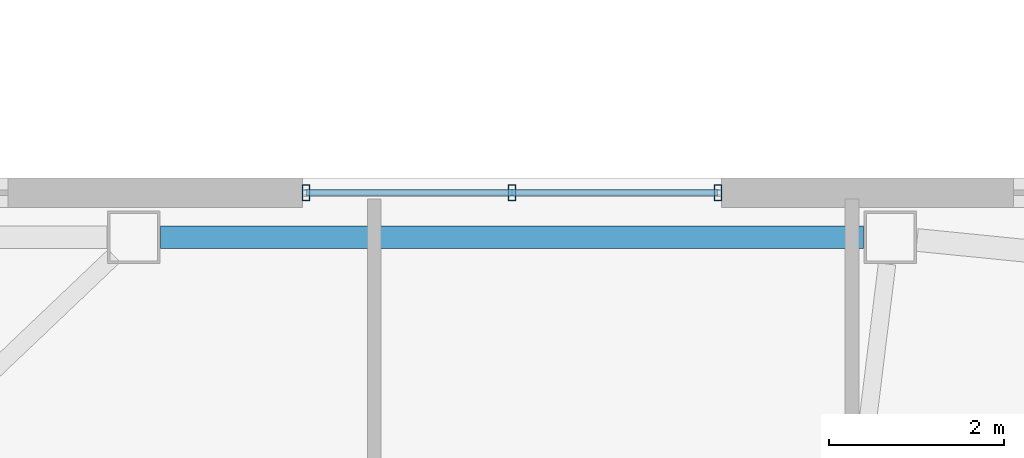
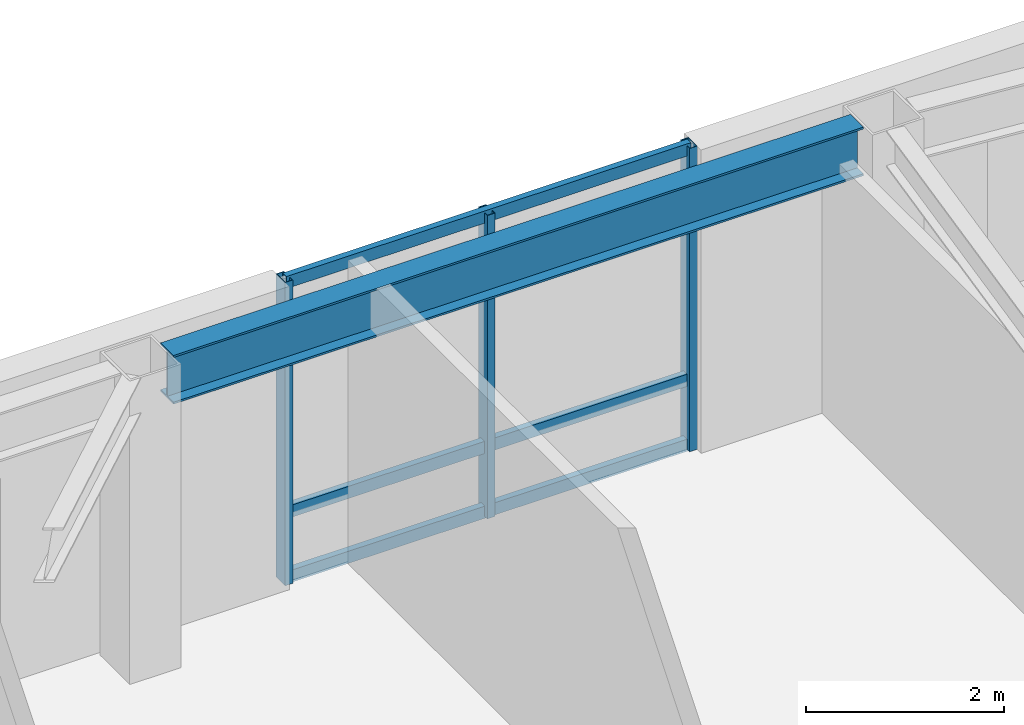
# One storey, part 6 of 18: 6 members, 1 beam, 1 element without a shape of its own.
"""IFC4 building model written with IfcOpenShell, lengths in metres."""

from ifc_helpers import new_model, si_unit, direction, frame, origin, origin_2d, place, context, subcontext, project, spatial, hollow_rectangle, i_section, extrude, material, layer, layer_set, material_profile, profile_set, type_object, element, aggregate, save


model = new_model("IFC4")

# Units and contexts
model_context = context("Model", 3, precision=1e-05, world=origin(), true_north=direction((0.0, 1.0)))
body_context = subcontext(model_context, "Body", "Model", "MODEL_VIEW")
ifc_project = project(units=[si_unit("LENGTHUNIT", "METRE"), si_unit("AREAUNIT", "SQUARE_METRE"), si_unit("VOLUMEUNIT", "CUBIC_METRE"), si_unit("PLANEANGLEUNIT", "RADIAN"), si_unit("MASSUNIT", "GRAM", prefix="KILO")], contexts=[model_context])

# Site, building, storey
site_placement = place(None, origin())
site = spatial("IfcSite", under=ifc_project, at=site_placement, CompositionType="ELEMENT")
building_placement = place(site_placement, origin())
building = spatial("IfcBuilding", under=site, at=building_placement, Name="Tavrogorsk Clinical Tower", CompositionType="ELEMENT")
storey_placement = place(building_placement, frame((0.0, 0.0, 168.199951171875)))
storey = spatial("IfcBuildingStorey", under=building, at=storey_placement, Name="L38", CompositionType="ELEMENT", Elevation=168.199951171875)

# Curtain wall, members
ifc_material_1 = material(Name="Anodised aluminium and triple IGU glazing", Category="aluminium")
ifc_layer = layer(ifc_material_1, 0.179931640625)
ifc_layer_set = layer_set([ifc_layer], Name="Anodised aluminium and triple IGU glazing")
curtain_wall_type = type_object("IfcCurtainWallType", Name="CW2_NorthSlot", PredefinedType="NOTDEFINED", material=ifc_layer_set)
curtain_wall_placement = place(storey_placement, origin())
curtain_wall = element("IfcCurtainWall", 1, at=curtain_wall_placement, inside=storey, type_object=curtain_wall_type, Name="L38 Curtain Wall CW-L38-N-SLOT-1", PredefinedType="NOTDEFINED")
ifc_material_2 = material(Name="Anodised aluminium alloy AW-6060", Category="aluminium")
ifc_material_profile_1 = material_profile(ifc_material_2, hollow_rectangle(XDim=0.090087890625, YDim=0.179931640625, WallThickness=0.00634765625, at=origin_2d()), Name="RHS-180x90x6.3")
ifc_profile_set_1 = profile_set([ifc_material_profile_1], Name="Anodised aluminium alloy AW-6060")
member_type_1 = type_object("IfcMemberType", Name="CwMullion_180x90", PredefinedType="MULLION", material=ifc_profile_set_1)
member_1_placement = place(storey_placement, frame((-3.90380859375, 26.929931640625, 0.0), z_axis=(0.0, 0.0, 1.0), x_axis=(-1.0, 0.0, 0.0)))
member_1 = element("IfcMember", 2, at=member_1_placement, type_object=member_type_1, Name="CW-L38-N-SLOT-1 Mullion 1", PredefinedType="MULLION", context=body_context, shape_type="SweptSolid", body=[
    extrude(hollow_rectangle(XDim=0.090087890625, YDim=0.179931640625, WallThickness=0.00634765625, at=origin_2d()), origin(), (0.0, 0.0, 1.0), 3.739990234375),
])
member_2_placement = place(storey_placement, frame((-6.262939453125, 26.929931640625, 0.0), z_axis=(0.0, 0.0, 1.0), x_axis=(-1.0, 0.0, 0.0)))
member_2 = element("IfcMember", 3, at=member_2_placement, type_object=member_type_1, Name="CW-L38-N-SLOT-1 Mullion 2", PredefinedType="MULLION", context=body_context, shape_type="SweptSolid", body=[
    extrude(hollow_rectangle(XDim=0.090087890625, YDim=0.179931640625, WallThickness=0.00634765625, at=origin_2d()), origin(), (0.0, 0.0, 1.0), 3.739990234375),
])
member_3_placement = place(storey_placement, frame((-8.621826171875, 26.929931640625, 0.0), z_axis=(0.0, 0.0, 1.0), x_axis=(-1.0, 0.0, 0.0)))
member_3 = element("IfcMember", 4, at=member_3_placement, type_object=member_type_1, Name="CW-L38-N-SLOT-1 Mullion 3", PredefinedType="MULLION", context=body_context, shape_type="SweptSolid", body=[
    extrude(hollow_rectangle(XDim=0.090087890625, YDim=0.179931640625, WallThickness=0.00634765625, at=origin_2d()), origin(), (0.0, 0.0, 1.0), 3.739990234375),
])
ifc_material_3 = material(Name="Anodised aluminium alloy AW-6060", Category="aluminium")
ifc_material_profile_2 = material_profile(ifc_material_3, hollow_rectangle(XDim=0.074951171875, YDim=0.14990234375, WallThickness=0.0048828125, at=origin_2d()), Name="RHS-150x75x5")
ifc_profile_set_2 = profile_set([ifc_material_profile_2], Name="Anodised aluminium alloy AW-6060")
member_type_2 = type_object("IfcMemberType", Name="CwTransom_150x75", PredefinedType="USERDEFINED", material=ifc_profile_set_2)
member_4_placement = place(storey_placement, frame((-3.90380859375, 26.929931640625, 0.050048828125), z_axis=(-1.0, 0.0, 0.0), x_axis=(0.0, -1.0, 0.0)))
member_4 = element("IfcMember", 5, at=member_4_placement, type_object=member_type_2, Name="CW-L38-N-SLOT-1 Transom 1", ObjectType="TRANSOM", PredefinedType="USERDEFINED", context=body_context, shape_type="SweptSolid", body=[
    extrude(hollow_rectangle(XDim=0.074951171875, YDim=0.14990234375, WallThickness=0.0048828125, at=origin_2d()), origin(), (0.0, 0.0, 1.0), 4.718017578125),
])
member_5_placement = place(storey_placement, frame((-3.90380859375, 26.929931640625, 0.85009765625), z_axis=(-1.0, 0.0, 0.0), x_axis=(0.0, -1.0, 0.0)))
member_5 = element("IfcMember", 6, at=member_5_placement, type_object=member_type_2, Name="CW-L38-N-SLOT-1 Transom 2", ObjectType="TRANSOM", PredefinedType="USERDEFINED", context=body_context, shape_type="SweptSolid", body=[
    extrude(hollow_rectangle(XDim=0.074951171875, YDim=0.14990234375, WallThickness=0.0048828125, at=origin_2d()), origin(), (0.0, 0.0, 1.0), 4.718017578125),
])
member_6_placement = place(storey_placement, frame((-3.90380859375, 26.929931640625, 3.68994140625), z_axis=(-1.0, 0.0, 0.0), x_axis=(0.0, -1.0, 0.0)))
member_6 = element("IfcMember", 7, at=member_6_placement, type_object=member_type_2, Name="CW-L38-N-SLOT-1 Transom 3", ObjectType="TRANSOM", PredefinedType="USERDEFINED", context=body_context, shape_type="SweptSolid", body=[
    extrude(hollow_rectangle(XDim=0.074951171875, YDim=0.14990234375, WallThickness=0.0048828125, at=origin_2d()), origin(), (0.0, 0.0, 1.0), 4.718017578125),
])
aggregate(curtain_wall, [member_1, member_2, member_3, member_4, member_5, member_6])

# Beam
ifc_material_4 = material(Name="Structural steel S390", Category="steel")
ifc_material_profile_3 = material_profile(ifc_material_4, i_section(OverallWidth=0.260009765625, OverallDepth=0.60009765625, WebThickness=0.014892578125, FlangeThickness=0.02392578125, at=origin_2d()), Name="B-600x260x15x24")
ifc_profile_set_3 = profile_set([ifc_material_profile_3], Name="Structural steel S390")
beam_type = type_object("IfcBeamType", Name="SpandrelBeam_B600", PredefinedType="SPANDREL", material=ifc_profile_set_3)
beam_placement = place(storey_placement, frame((-2.239501953125, 26.419921875, 3.43994140625), z_axis=(-1.0, 0.0, 0.0), x_axis=(0.0, -1.0, 0.0)))
element("IfcBeam", 8, at=beam_placement, inside=storey, type_object=beam_type, Name="L38 Perimeter Spandrel N5-N6", PredefinedType="SPANDREL", context=body_context, shape_type="SweptSolid", body=[
    extrude(i_section(OverallWidth=0.260009765625, OverallDepth=0.60009765625, WebThickness=0.014892578125, FlangeThickness=0.02392578125, at=origin_2d()), origin(), (0.0, 0.0, 1.0), 8.046875),
])

save(model, "model.ifc")
